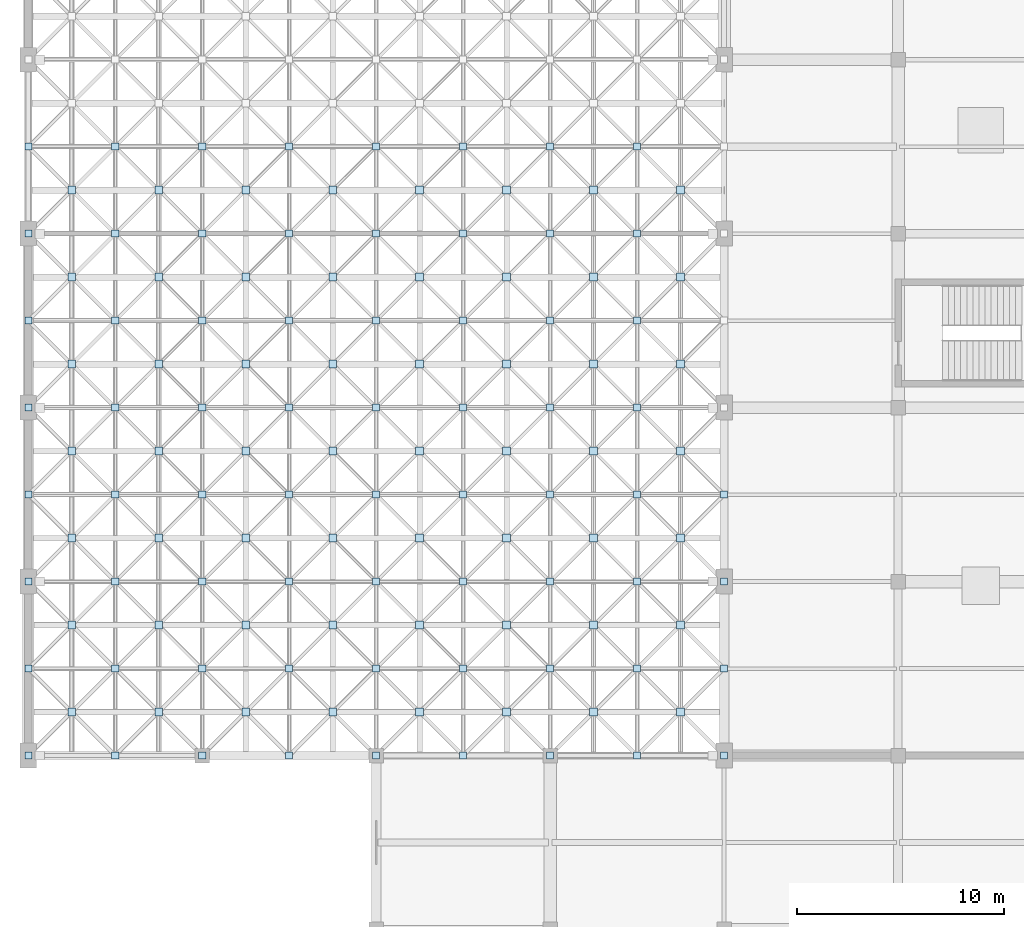
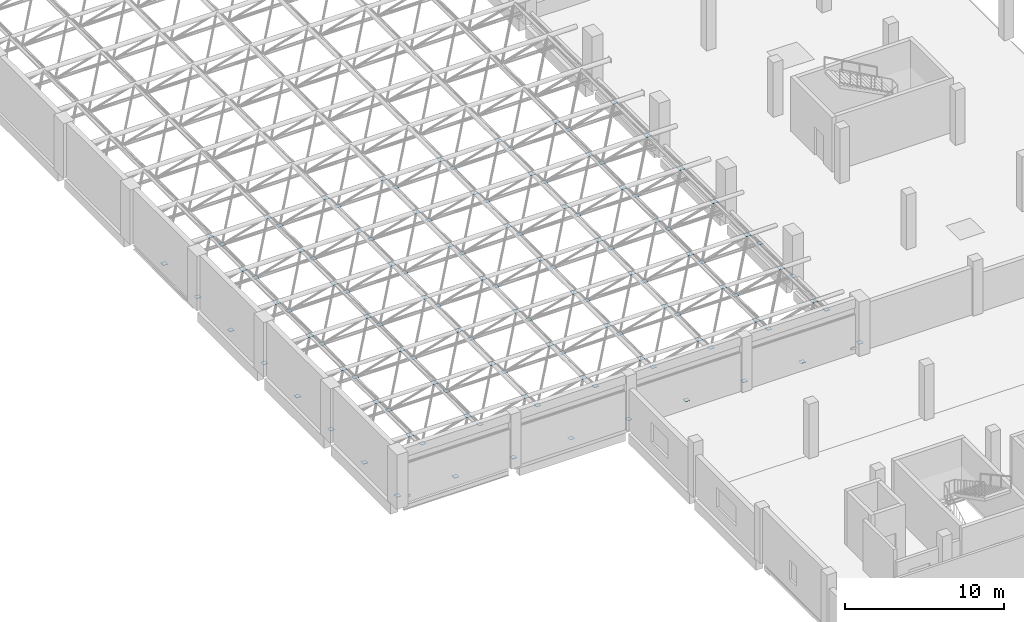
# One storey, part 43 of 64: 124 plates.
"""IFC4 building model written with IfcOpenShell, lengths in metres."""

from ifc_helpers import new_model, si_unit, derived_unit, direction, frame, origin, origin_2d, place, context, subcontext, project, spatial, rectangle, extrude, material, layer, layer_set, type_object, element, save


model = new_model("IFC4")

# Units and contexts
model_context = context("Model", 3, precision=1e-05, world=origin(), true_north=direction((0.0, 1.0)))
body_context = subcontext(model_context, "Body", "Model", "MODEL_VIEW")
ifc_project = project(units=[si_unit("LENGTHUNIT", "METRE"), si_unit("AREAUNIT", "SQUARE_METRE"), si_unit("VOLUMEUNIT", "CUBIC_METRE"), si_unit("PLANEANGLEUNIT", "RADIAN"), si_unit("MASSUNIT", "GRAM", prefix="KILO"), derived_unit("THERMALTRANSMITTANCEUNIT", [(si_unit("POWERUNIT", "WATT"), 1), (si_unit("LENGTHUNIT", "METRE"), -2), (si_unit("THERMODYNAMICTEMPERATUREUNIT", "KELVIN"), -1)])], contexts=[model_context])

# Site, building, storey
site_placement = place(None, origin())
site = spatial("IfcSite", under=ifc_project, at=site_placement, CompositionType="ELEMENT")
building_placement = place(site_placement, origin())
building = spatial("IfcBuilding", under=site, at=building_placement, Name="Barrovel Congress Hotel", CompositionType="ELEMENT")
storey_placement = place(building_placement, frame((0.0, 0.0, 14.10009765625)))
storey = spatial("IfcBuildingStorey", under=building, at=storey_placement, Name="L03", CompositionType="ELEMENT", Elevation=14.10009765625)

# Plates
ifc_material = material(Name="Steel ASTM A992 Grade 50", Category="steel")
ifc_layer_1 = layer(ifc_material, 0.01611328125)
ifc_layer_set_1 = layer_set([ifc_layer_1], Name="Steel ASTM A992 Grade 50")
plate_type_1 = type_object("IfcPlateType", Name="GP-16", PredefinedType="SHEET", material=ifc_layer_set_1)
for number, where, z_axis, x_axis, name in (
    (1, (6.300048828125, 39.89990234375, 3.241943359375), (0.0, 0.0, 1.0), (1.0, 0.0, 0.0), "Space Frame Node Gusset Plate 1-0"),
    (2, (6.300048828125, 48.300048828125, 3.241943359375), (0.0, 0.0, 1.0), (1.0, 0.0, 0.0), "Space Frame Node Gusset Plate 1-2"),
    (3, (6.300048828125, 56.699951171875, 3.241943359375), (0.0, 0.0, 1.0), (1.0, 0.0, 0.0), "Space Frame Node Gusset Plate 1-4"),
    (4, (6.300048828125, 65.10009765625, 3.241943359375), (0.0, 0.0, 1.0), (1.0, 0.0, 0.0), "Space Frame Node Gusset Plate 1-6"),
    (5, (10.5, 44.10009765625, 3.241943359375), (0.0, 0.0, 1.0), (1.0, 0.0, 0.0), "Space Frame Node Gusset Plate 2-1"),
    (6, (10.5, 52.5, 3.241943359375), (0.0, 0.0, 1.0), (1.0, 0.0, 0.0), "Space Frame Node Gusset Plate 2-3"),
    (7, (10.5, 60.89990234375, 3.241943359375), (0.0, 0.0, 1.0), (1.0, 0.0, 0.0), "Space Frame Node Gusset Plate 2-5"),
    (8, (14.699951171875, 39.89990234375, 3.241943359375), (0.0, 0.0, 1.0), (1.0, 0.0, 0.0), "Space Frame Node Gusset Plate 3-0"),
    (9, (14.699951171875, 48.300048828125, 3.241943359375), (0.0, 0.0, 1.0), (1.0, 0.0, 0.0), "Space Frame Node Gusset Plate 3-2"),
    (10, (14.699951171875, 56.699951171875, 3.241943359375), (0.0, 0.0, 1.0), (1.0, 0.0, 0.0), "Space Frame Node Gusset Plate 3-4"),
    (11, (14.699951171875, 65.10009765625, 3.241943359375), (0.0, 0.0, 1.0), (1.0, 0.0, 0.0), "Space Frame Node Gusset Plate 3-6"),
    (12, (18.89990234375, 44.10009765625, 3.241943359375), (0.0, 0.0, 1.0), (1.0, 0.0, 0.0), "Space Frame Node Gusset Plate 4-1"),
    (13, (18.89990234375, 52.5, 3.241943359375), (0.0, 0.0, 1.0), (1.0, 0.0, 0.0), "Space Frame Node Gusset Plate 4-3"),
    (14, (18.89990234375, 60.89990234375, 3.241943359375), (0.0, 0.0, 1.0), (1.0, 0.0, 0.0), "Space Frame Node Gusset Plate 4-5"),
    (15, (23.10009765625, 39.89990234375, 3.241943359375), (0.0, 0.0, 1.0), (1.0, 0.0, 0.0), "Space Frame Node Gusset Plate 5-0"),
    (16, (23.10009765625, 48.300048828125, 3.241943359375), (0.0, 0.0, 1.0), (1.0, 0.0, 0.0), "Space Frame Node Gusset Plate 5-2"),
    (17, (23.10009765625, 56.699951171875, 3.241943359375), (0.0, 0.0, 1.0), (1.0, 0.0, 0.0), "Space Frame Node Gusset Plate 5-4"),
    (18, (23.10009765625, 65.10009765625, 3.241943359375), (0.0, 0.0, 1.0), (1.0, 0.0, 0.0), "Space Frame Node Gusset Plate 5-6"),
    (19, (27.300048828125, 44.10009765625, 3.241943359375), (0.0, 0.0, 1.0), (1.0, 0.0, 0.0), "Space Frame Node Gusset Plate 6-1"),
    (20, (27.300048828125, 52.5, 3.241943359375), (0.0, 0.0, 1.0), (1.0, 0.0, 0.0), "Space Frame Node Gusset Plate 6-3"),
    (21, (27.300048828125, 60.89990234375, 3.241943359375), (0.0, 0.0, 1.0), (1.0, 0.0, 0.0), "Space Frame Node Gusset Plate 6-5"),
):
    element("IfcPlate", number, at=place(storey_placement, frame(where, z_axis=z_axis, x_axis=x_axis)), inside=storey, type_object=plate_type_1, Name=name, PredefinedType="SHEET", context=body_context, shape_type="SweptSolid", body=[
        extrude(rectangle(XDim=0.3798828125, YDim=0.3798828125, at=origin_2d()), origin(), (0.0, 0.0, 1.0), 0.01611328125),
    ])
for number, where, z_axis, x_axis, name in (
    (22, (0.0, 37.800048828125, 0.591796875), (0.0, 0.0, 1.0), (1.0, 0.0, 0.0), "Space Frame Bottom Node Gusset Plate 0-0"),
    (23, (0.0, 42.0, 0.591796875), (0.0, 0.0, 1.0), (1.0, 0.0, 0.0), "Space Frame Bottom Node Gusset Plate 0-1"),
    (24, (0.0, 46.199951171875, 0.591796875), (0.0, 0.0, 1.0), (1.0, 0.0, 0.0), "Space Frame Bottom Node Gusset Plate 0-2"),
    (25, (0.0, 50.39990234375, 0.591796875), (0.0, 0.0, 1.0), (1.0, 0.0, 0.0), "Space Frame Bottom Node Gusset Plate 0-3"),
    (26, (0.0, 54.60009765625, 0.591796875), (0.0, 0.0, 1.0), (1.0, 0.0, 0.0), "Space Frame Bottom Node Gusset Plate 0-4"),
    (27, (0.0, 58.800048828125, 0.591796875), (0.0, 0.0, 1.0), (1.0, 0.0, 0.0), "Space Frame Bottom Node Gusset Plate 0-5"),
    (28, (0.0, 63.0, 0.591796875), (0.0, 0.0, 1.0), (1.0, 0.0, 0.0), "Space Frame Bottom Node Gusset Plate 0-6"),
    (29, (0.0, 67.199951171875, 0.591796875), (0.0, 0.0, 1.0), (1.0, 0.0, 0.0), "Space Frame Bottom Node Gusset Plate 0-7"),
    (30, (4.199951171875, 37.800048828125, 0.591796875), (0.0, 0.0, 1.0), (1.0, 0.0, 0.0), "Space Frame Bottom Node Gusset Plate 1-0"),
    (31, (4.199951171875, 42.0, 0.591796875), (0.0, 0.0, 1.0), (1.0, 0.0, 0.0), "Space Frame Bottom Node Gusset Plate 1-1"),
    (32, (4.199951171875, 46.199951171875, 0.591796875), (0.0, 0.0, 1.0), (1.0, 0.0, 0.0), "Space Frame Bottom Node Gusset Plate 1-2"),
    (33, (4.199951171875, 50.39990234375, 0.591796875), (0.0, 0.0, 1.0), (1.0, 0.0, 0.0), "Space Frame Bottom Node Gusset Plate 1-3"),
    (34, (4.199951171875, 54.60009765625, 0.591796875), (0.0, 0.0, 1.0), (1.0, 0.0, 0.0), "Space Frame Bottom Node Gusset Plate 1-4"),
    (35, (4.199951171875, 58.800048828125, 0.591796875), (0.0, 0.0, 1.0), (1.0, 0.0, 0.0), "Space Frame Bottom Node Gusset Plate 1-5"),
    (36, (4.199951171875, 63.0, 0.591796875), (0.0, 0.0, 1.0), (1.0, 0.0, 0.0), "Space Frame Bottom Node Gusset Plate 1-6"),
    (37, (4.199951171875, 67.199951171875, 0.591796875), (0.0, 0.0, 1.0), (1.0, 0.0, 0.0), "Space Frame Bottom Node Gusset Plate 1-7"),
    (38, (8.39990234375, 37.800048828125, 0.591796875), (0.0, 0.0, 1.0), (1.0, 0.0, 0.0), "Space Frame Bottom Node Gusset Plate 2-0"),
    (39, (8.39990234375, 42.0, 0.591796875), (0.0, 0.0, 1.0), (1.0, 0.0, 0.0), "Space Frame Bottom Node Gusset Plate 2-1"),
    (40, (8.39990234375, 46.199951171875, 0.591796875), (0.0, 0.0, 1.0), (1.0, 0.0, 0.0), "Space Frame Bottom Node Gusset Plate 2-2"),
    (41, (8.39990234375, 50.39990234375, 0.591796875), (0.0, 0.0, 1.0), (1.0, 0.0, 0.0), "Space Frame Bottom Node Gusset Plate 2-3"),
    (42, (8.39990234375, 54.60009765625, 0.591796875), (0.0, 0.0, 1.0), (1.0, 0.0, 0.0), "Space Frame Bottom Node Gusset Plate 2-4"),
    (43, (8.39990234375, 58.800048828125, 0.591796875), (0.0, 0.0, 1.0), (1.0, 0.0, 0.0), "Space Frame Bottom Node Gusset Plate 2-5"),
    (44, (8.39990234375, 63.0, 0.591796875), (0.0, 0.0, 1.0), (1.0, 0.0, 0.0), "Space Frame Bottom Node Gusset Plate 2-6"),
    (45, (8.39990234375, 67.199951171875, 0.591796875), (0.0, 0.0, 1.0), (1.0, 0.0, 0.0), "Space Frame Bottom Node Gusset Plate 2-7"),
    (46, (12.60009765625, 37.800048828125, 0.591796875), (0.0, 0.0, 1.0), (1.0, 0.0, 0.0), "Space Frame Bottom Node Gusset Plate 3-0"),
    (47, (12.60009765625, 42.0, 0.591796875), (0.0, 0.0, 1.0), (1.0, 0.0, 0.0), "Space Frame Bottom Node Gusset Plate 3-1"),
    (48, (12.60009765625, 46.199951171875, 0.591796875), (0.0, 0.0, 1.0), (1.0, 0.0, 0.0), "Space Frame Bottom Node Gusset Plate 3-2"),
    (49, (12.60009765625, 50.39990234375, 0.591796875), (0.0, 0.0, 1.0), (1.0, 0.0, 0.0), "Space Frame Bottom Node Gusset Plate 3-3"),
    (50, (12.60009765625, 54.60009765625, 0.591796875), (0.0, 0.0, 1.0), (1.0, 0.0, 0.0), "Space Frame Bottom Node Gusset Plate 3-4"),
    (51, (12.60009765625, 58.800048828125, 0.591796875), (0.0, 0.0, 1.0), (1.0, 0.0, 0.0), "Space Frame Bottom Node Gusset Plate 3-5"),
    (52, (12.60009765625, 63.0, 0.591796875), (0.0, 0.0, 1.0), (1.0, 0.0, 0.0), "Space Frame Bottom Node Gusset Plate 3-6"),
    (53, (12.60009765625, 67.199951171875, 0.591796875), (0.0, 0.0, 1.0), (1.0, 0.0, 0.0), "Space Frame Bottom Node Gusset Plate 3-7"),
    (54, (16.800048828125, 37.800048828125, 0.591796875), (0.0, 0.0, 1.0), (1.0, 0.0, 0.0), "Space Frame Bottom Node Gusset Plate 4-0"),
    (55, (16.800048828125, 42.0, 0.591796875), (0.0, 0.0, 1.0), (1.0, 0.0, 0.0), "Space Frame Bottom Node Gusset Plate 4-1"),
    (56, (16.800048828125, 46.199951171875, 0.591796875), (0.0, 0.0, 1.0), (1.0, 0.0, 0.0), "Space Frame Bottom Node Gusset Plate 4-2"),
    (57, (16.800048828125, 50.39990234375, 0.591796875), (0.0, 0.0, 1.0), (1.0, 0.0, 0.0), "Space Frame Bottom Node Gusset Plate 4-3"),
    (58, (16.800048828125, 54.60009765625, 0.591796875), (0.0, 0.0, 1.0), (1.0, 0.0, 0.0), "Space Frame Bottom Node Gusset Plate 4-4"),
    (59, (16.800048828125, 58.800048828125, 0.591796875), (0.0, 0.0, 1.0), (1.0, 0.0, 0.0), "Space Frame Bottom Node Gusset Plate 4-5"),
    (60, (16.800048828125, 63.0, 0.591796875), (0.0, 0.0, 1.0), (1.0, 0.0, 0.0), "Space Frame Bottom Node Gusset Plate 4-6"),
    (61, (16.800048828125, 67.199951171875, 0.591796875), (0.0, 0.0, 1.0), (1.0, 0.0, 0.0), "Space Frame Bottom Node Gusset Plate 4-7"),
    (62, (21.0, 37.800048828125, 0.591796875), (0.0, 0.0, 1.0), (1.0, 0.0, 0.0), "Space Frame Bottom Node Gusset Plate 5-0"),
    (63, (21.0, 42.0, 0.591796875), (0.0, 0.0, 1.0), (1.0, 0.0, 0.0), "Space Frame Bottom Node Gusset Plate 5-1"),
    (64, (21.0, 46.199951171875, 0.591796875), (0.0, 0.0, 1.0), (1.0, 0.0, 0.0), "Space Frame Bottom Node Gusset Plate 5-2"),
    (65, (21.0, 50.39990234375, 0.591796875), (0.0, 0.0, 1.0), (1.0, 0.0, 0.0), "Space Frame Bottom Node Gusset Plate 5-3"),
    (66, (21.0, 54.60009765625, 0.591796875), (0.0, 0.0, 1.0), (1.0, 0.0, 0.0), "Space Frame Bottom Node Gusset Plate 5-4"),
    (67, (21.0, 58.800048828125, 0.591796875), (0.0, 0.0, 1.0), (1.0, 0.0, 0.0), "Space Frame Bottom Node Gusset Plate 5-5"),
    (68, (21.0, 63.0, 0.591796875), (0.0, 0.0, 1.0), (1.0, 0.0, 0.0), "Space Frame Bottom Node Gusset Plate 5-6"),
    (69, (21.0, 67.199951171875, 0.591796875), (0.0, 0.0, 1.0), (1.0, 0.0, 0.0), "Space Frame Bottom Node Gusset Plate 5-7"),
    (70, (25.199951171875, 37.800048828125, 0.591796875), (0.0, 0.0, 1.0), (1.0, 0.0, 0.0), "Space Frame Bottom Node Gusset Plate 6-0"),
    (71, (25.199951171875, 42.0, 0.591796875), (0.0, 0.0, 1.0), (1.0, 0.0, 0.0), "Space Frame Bottom Node Gusset Plate 6-1"),
    (72, (25.199951171875, 46.199951171875, 0.591796875), (0.0, 0.0, 1.0), (1.0, 0.0, 0.0), "Space Frame Bottom Node Gusset Plate 6-2"),
    (73, (25.199951171875, 50.39990234375, 0.591796875), (0.0, 0.0, 1.0), (1.0, 0.0, 0.0), "Space Frame Bottom Node Gusset Plate 6-3"),
    (74, (25.199951171875, 54.60009765625, 0.591796875), (0.0, 0.0, 1.0), (1.0, 0.0, 0.0), "Space Frame Bottom Node Gusset Plate 6-4"),
    (75, (25.199951171875, 58.800048828125, 0.591796875), (0.0, 0.0, 1.0), (1.0, 0.0, 0.0), "Space Frame Bottom Node Gusset Plate 6-5"),
    (76, (25.199951171875, 63.0, 0.591796875), (0.0, 0.0, 1.0), (1.0, 0.0, 0.0), "Space Frame Bottom Node Gusset Plate 6-6"),
    (77, (25.199951171875, 67.199951171875, 0.591796875), (0.0, 0.0, 1.0), (1.0, 0.0, 0.0), "Space Frame Bottom Node Gusset Plate 6-7"),
    (78, (29.39990234375, 37.800048828125, 0.591796875), (0.0, 0.0, 1.0), (1.0, 0.0, 0.0), "Space Frame Bottom Node Gusset Plate 7-0"),
    (79, (29.39990234375, 42.0, 0.591796875), (0.0, 0.0, 1.0), (1.0, 0.0, 0.0), "Space Frame Bottom Node Gusset Plate 7-1"),
    (80, (29.39990234375, 46.199951171875, 0.591796875), (0.0, 0.0, 1.0), (1.0, 0.0, 0.0), "Space Frame Bottom Node Gusset Plate 7-2"),
    (81, (29.39990234375, 50.39990234375, 0.591796875), (0.0, 0.0, 1.0), (1.0, 0.0, 0.0), "Space Frame Bottom Node Gusset Plate 7-3"),
    (82, (29.39990234375, 54.60009765625, 0.591796875), (0.0, 0.0, 1.0), (1.0, 0.0, 0.0), "Space Frame Bottom Node Gusset Plate 7-4"),
    (83, (29.39990234375, 58.800048828125, 0.591796875), (0.0, 0.0, 1.0), (1.0, 0.0, 0.0), "Space Frame Bottom Node Gusset Plate 7-5"),
    (84, (29.39990234375, 63.0, 0.591796875), (0.0, 0.0, 1.0), (1.0, 0.0, 0.0), "Space Frame Bottom Node Gusset Plate 7-6"),
    (85, (29.39990234375, 67.199951171875, 0.591796875), (0.0, 0.0, 1.0), (1.0, 0.0, 0.0), "Space Frame Bottom Node Gusset Plate 7-7"),
    (86, (33.60009765625, 37.800048828125, 0.591796875), (0.0, 0.0, 1.0), (1.0, 0.0, 0.0), "Space Frame Bottom Node Gusset Plate 8-0"),
    (87, (33.60009765625, 42.0, 0.591796875), (0.0, 0.0, 1.0), (1.0, 0.0, 0.0), "Space Frame Bottom Node Gusset Plate 8-1"),
    (88, (33.60009765625, 46.199951171875, 0.591796875), (0.0, 0.0, 1.0), (1.0, 0.0, 0.0), "Space Frame Bottom Node Gusset Plate 8-2"),
    (89, (33.60009765625, 50.39990234375, 0.591796875), (0.0, 0.0, 1.0), (1.0, 0.0, 0.0), "Space Frame Bottom Node Gusset Plate 8-3"),
):
    element("IfcPlate", number, at=place(storey_placement, frame(where, z_axis=z_axis, x_axis=x_axis)), inside=storey, type_object=plate_type_1, Name=name, PredefinedType="SHEET", context=body_context, shape_type="SweptSolid", body=[
        extrude(rectangle(XDim=0.340087890625, YDim=0.340087890625, at=origin_2d()), origin(), (0.0, 0.0, 1.0), 0.01611328125),
    ])
ifc_layer_2 = layer(ifc_material, 0.02392578125)
ifc_layer_set_2 = layer_set([ifc_layer_2], Name="Steel ASTM A992 Grade 50")
plate_type_2 = type_object("IfcPlateType", Name="GP-24", PredefinedType="SHEET", material=ifc_layer_set_2)
for number, where, z_axis, x_axis, name in (
    (90, (2.10009765625, 39.89990234375, 3.238037109375), (0.0, 0.0, 1.0), (1.0, 0.0, 0.0), "Space Frame Node Gusset Plate 0-0"),
    (91, (2.10009765625, 48.300048828125, 3.238037109375), (0.0, 0.0, 1.0), (1.0, 0.0, 0.0), "Space Frame Node Gusset Plate 0-2"),
    (92, (2.10009765625, 56.699951171875, 3.238037109375), (0.0, 0.0, 1.0), (1.0, 0.0, 0.0), "Space Frame Node Gusset Plate 0-4"),
    (93, (2.10009765625, 65.10009765625, 3.238037109375), (0.0, 0.0, 1.0), (1.0, 0.0, 0.0), "Space Frame Node Gusset Plate 0-6"),
    (94, (6.300048828125, 44.10009765625, 3.238037109375), (0.0, 0.0, 1.0), (1.0, 0.0, 0.0), "Space Frame Node Gusset Plate 1-1"),
    (95, (6.300048828125, 52.5, 3.238037109375), (0.0, 0.0, 1.0), (1.0, 0.0, 0.0), "Space Frame Node Gusset Plate 1-3"),
    (96, (6.300048828125, 60.89990234375, 3.238037109375), (0.0, 0.0, 1.0), (1.0, 0.0, 0.0), "Space Frame Node Gusset Plate 1-5"),
    (97, (10.5, 39.89990234375, 3.238037109375), (0.0, 0.0, 1.0), (1.0, 0.0, 0.0), "Space Frame Node Gusset Plate 2-0"),
    (98, (10.5, 48.300048828125, 3.238037109375), (0.0, 0.0, 1.0), (1.0, 0.0, 0.0), "Space Frame Node Gusset Plate 2-2"),
    (99, (10.5, 56.699951171875, 3.238037109375), (0.0, 0.0, 1.0), (1.0, 0.0, 0.0), "Space Frame Node Gusset Plate 2-4"),
    (100, (10.5, 65.10009765625, 3.238037109375), (0.0, 0.0, 1.0), (1.0, 0.0, 0.0), "Space Frame Node Gusset Plate 2-6"),
    (101, (14.699951171875, 44.10009765625, 3.238037109375), (0.0, 0.0, 1.0), (1.0, 0.0, 0.0), "Space Frame Node Gusset Plate 3-1"),
    (102, (14.699951171875, 52.5, 3.238037109375), (0.0, 0.0, 1.0), (1.0, 0.0, 0.0), "Space Frame Node Gusset Plate 3-3"),
    (103, (14.699951171875, 60.89990234375, 3.238037109375), (0.0, 0.0, 1.0), (1.0, 0.0, 0.0), "Space Frame Node Gusset Plate 3-5"),
    (104, (18.89990234375, 39.89990234375, 3.238037109375), (0.0, 0.0, 1.0), (1.0, 0.0, 0.0), "Space Frame Node Gusset Plate 4-0"),
    (105, (18.89990234375, 48.300048828125, 3.238037109375), (0.0, 0.0, 1.0), (1.0, 0.0, 0.0), "Space Frame Node Gusset Plate 4-2"),
    (106, (18.89990234375, 56.699951171875, 3.238037109375), (0.0, 0.0, 1.0), (1.0, 0.0, 0.0), "Space Frame Node Gusset Plate 4-4"),
    (107, (18.89990234375, 65.10009765625, 3.238037109375), (0.0, 0.0, 1.0), (1.0, 0.0, 0.0), "Space Frame Node Gusset Plate 4-6"),
    (108, (23.10009765625, 44.10009765625, 3.238037109375), (0.0, 0.0, 1.0), (1.0, 0.0, 0.0), "Space Frame Node Gusset Plate 5-1"),
    (109, (23.10009765625, 52.5, 3.238037109375), (0.0, 0.0, 1.0), (1.0, 0.0, 0.0), "Space Frame Node Gusset Plate 5-3"),
    (110, (23.10009765625, 60.89990234375, 3.238037109375), (0.0, 0.0, 1.0), (1.0, 0.0, 0.0), "Space Frame Node Gusset Plate 5-5"),
    (111, (27.300048828125, 39.89990234375, 3.238037109375), (0.0, 0.0, 1.0), (1.0, 0.0, 0.0), "Space Frame Node Gusset Plate 6-0"),
    (112, (27.300048828125, 48.300048828125, 3.238037109375), (0.0, 0.0, 1.0), (1.0, 0.0, 0.0), "Space Frame Node Gusset Plate 6-2"),
    (113, (27.300048828125, 56.699951171875, 3.238037109375), (0.0, 0.0, 1.0), (1.0, 0.0, 0.0), "Space Frame Node Gusset Plate 6-4"),
    (114, (27.300048828125, 65.10009765625, 3.238037109375), (0.0, 0.0, 1.0), (1.0, 0.0, 0.0), "Space Frame Node Gusset Plate 6-6"),
    (115, (31.5, 44.10009765625, 3.238037109375), (0.0, 0.0, 1.0), (1.0, 0.0, 0.0), "Space Frame Node Gusset Plate 7-1"),
    (116, (31.5, 52.5, 3.238037109375), (0.0, 0.0, 1.0), (1.0, 0.0, 0.0), "Space Frame Node Gusset Plate 7-3"),
    (117, (31.5, 60.89990234375, 3.238037109375), (0.0, 0.0, 1.0), (1.0, 0.0, 0.0), "Space Frame Node Gusset Plate 7-5"),
):
    element("IfcPlate", number, at=place(storey_placement, frame(where, z_axis=z_axis, x_axis=x_axis)), inside=storey, type_object=plate_type_2, Name=name, PredefinedType="SHEET", context=body_context, shape_type="SweptSolid", body=[
        extrude(rectangle(XDim=0.3798828125, YDim=0.3798828125, at=origin_2d()), origin(), (0.0, 0.0, 1.0), 0.02392578125),
    ])
ifc_layer_3 = layer(ifc_material, 0.035888671875)
ifc_layer_set_3 = layer_set([ifc_layer_3], Name="Steel ASTM A992 Grade 50")
plate_type_3 = type_object("IfcPlateType", Name="GP-36", PredefinedType="SHEET", material=ifc_layer_set_3)
for number, where, z_axis, x_axis, name in (
    (118, (2.10009765625, 44.10009765625, 3.23193359375), (0.0, 0.0, 1.0), (1.0, 0.0, 0.0), "Space Frame Node Gusset Plate 0-1"),
    (119, (2.10009765625, 52.5, 3.23193359375), (0.0, 0.0, 1.0), (1.0, 0.0, 0.0), "Space Frame Node Gusset Plate 0-3"),
    (120, (2.10009765625, 60.89990234375, 3.23193359375), (0.0, 0.0, 1.0), (1.0, 0.0, 0.0), "Space Frame Node Gusset Plate 0-5"),
    (121, (31.5, 39.89990234375, 3.23193359375), (0.0, 0.0, 1.0), (1.0, 0.0, 0.0), "Space Frame Node Gusset Plate 7-0"),
    (122, (31.5, 48.300048828125, 3.23193359375), (0.0, 0.0, 1.0), (1.0, 0.0, 0.0), "Space Frame Node Gusset Plate 7-2"),
    (123, (31.5, 56.699951171875, 3.23193359375), (0.0, 0.0, 1.0), (1.0, 0.0, 0.0), "Space Frame Node Gusset Plate 7-4"),
    (124, (31.5, 65.10009765625, 3.23193359375), (0.0, 0.0, 1.0), (1.0, 0.0, 0.0), "Space Frame Node Gusset Plate 7-6"),
):
    element("IfcPlate", number, at=place(storey_placement, frame(where, z_axis=z_axis, x_axis=x_axis)), inside=storey, type_object=plate_type_3, Name=name, PredefinedType="SHEET", context=body_context, shape_type="SweptSolid", body=[
        extrude(rectangle(XDim=0.3798828125, YDim=0.3798828125, at=origin_2d()), origin(), (0.0, 0.0, 1.0), 0.035888671875),
    ])

save(model, "model.ifc")
